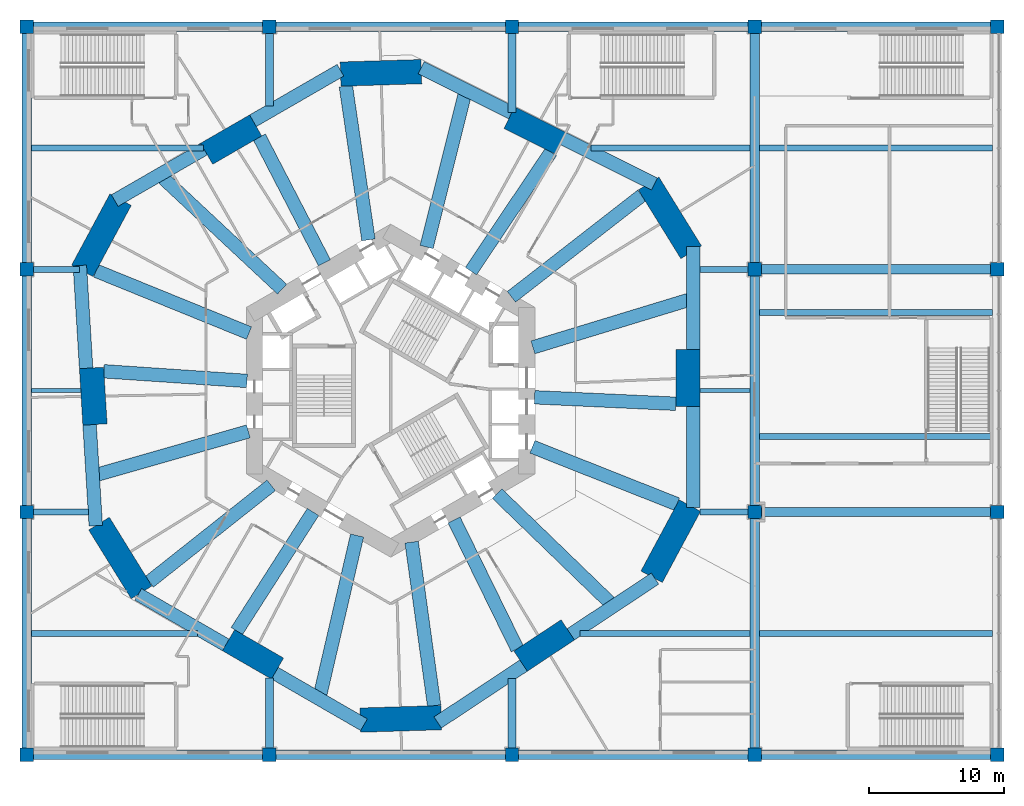
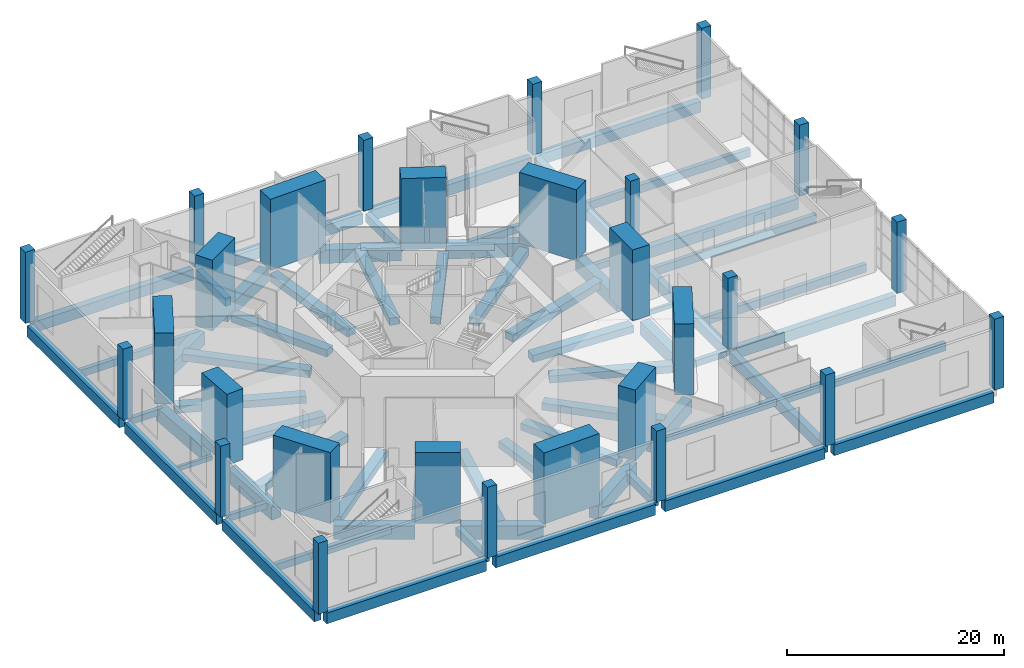
# One storey, part 1 of 15: 64 beams, 28 columns.
"""IFC4 building model written with IfcOpenShell, lengths in metres."""

from ifc_helpers import new_model, si_unit, direction, frame, origin, origin_2d, place, context, subcontext, project, spatial, rectangle, extrude, material, material_profile, profile_set, type_object, element, save


model = new_model("IFC4")

# Units and contexts
model_context = context("Model", 3, precision=1e-05, world=origin(), true_north=direction((0.0, 1.0)))
body_context = subcontext(model_context, "Body", "Model", "MODEL_VIEW")
ifc_project = project(units=[si_unit("LENGTHUNIT", "METRE"), si_unit("AREAUNIT", "SQUARE_METRE"), si_unit("VOLUMEUNIT", "CUBIC_METRE"), si_unit("PLANEANGLEUNIT", "RADIAN"), si_unit("MASSUNIT", "GRAM", prefix="KILO")], contexts=[model_context])

# Site, building, storey
site_placement = place(None, origin())
site = spatial("IfcSite", under=ifc_project, at=site_placement, CompositionType="ELEMENT")
building_placement = place(site_placement, origin())
building = spatial("IfcBuilding", under=site, at=building_placement, Name="Vanh Sen Convention Tower", CompositionType="ELEMENT")
storey_placement = place(building_placement, frame((0.0, 0.0, 21.0)))
storey = spatial("IfcBuildingStorey", under=building, at=storey_placement, Name="L03", CompositionType="ELEMENT", Elevation=21.0)

# Columns
ifc_material_1 = material(Name="Concrete C80/95", Category="concrete")
ifc_material_profile_1 = material_profile(ifc_material_1, rectangle(XDim=4.199951171875, YDim=1.800048828125, at=origin_2d()), Name="RC 4200X1800")
ifc_profile_set_1 = profile_set([ifc_material_profile_1], Name="Concrete C80/95")
column_type_1 = type_object("IfcColumnType", Name="Mega column 4200 x 1800 C80/95", PredefinedType="COLUMN", material=ifc_profile_set_1)
for number, where, z_axis, x_axis, name in (
    (1, (22.050048828125, 0.937255859375, 0.0), (0.0, 0.0, 1.0), (0.0, 1.0, 0.0), "Mega column 01 L03"),
    (2, (10.677490234375, 19.315185546875, 0.0), (0.0, 0.0, 1.0), (-0.894935140363, 0.446196251154, 0.0), "Mega column 03 L03"),
    (3, (-11.836669921875, 18.627197265625, 0.0), (0.0, 0.0, 1.0), (-0.866028021766, -0.499995465495, 0.0), "Mega column 05 L03"),
    (4, (-22.06591796875, -0.41064453125, 0.0), (0.0, 0.0, 1.0), (0.061046797461, -0.99813490497, 0.0), "Mega column 07 L03"),
    (5, (-10.21337890625, -19.564453125, 0.0), (0.0, 0.0, 1.0), (0.866028021766, -0.499995465495, 0.0), "Mega column 09 L03"),
    (6, (11.388671875, -18.904541015625, 0.0), (0.0, 0.0, 1.0), (0.833880042151, 0.551945717714, 0.0), "Mega column 11 L03"),
):
    element("IfcColumn", number, at=place(storey_placement, frame(where, z_axis=z_axis, x_axis=x_axis)), inside=storey, type_object=column_type_1, Name=name, PredefinedType="COLUMN", context=body_context, shape_type="SweptSolid", body=[
        extrude(rectangle(XDim=4.199951171875, YDim=1.800048828125, at=origin_2d()), origin(), (0.0, 0.0, 1.0), 8.0),
    ])
ifc_material_profile_2 = material_profile(ifc_material_1, rectangle(XDim=6.0, YDim=1.800048828125, at=origin_2d()), Name="RC 6000X1800")
ifc_profile_set_2 = profile_set([ifc_material_profile_2], Name="Concrete C80/95")
column_type_2 = type_object("IfcColumnType", Name="Mega column 6000 x 1800 C80/95", PredefinedType="COLUMN", material=ifc_profile_set_2)
for number, where, z_axis, x_axis, name in (
    (7, (20.71435546875, 12.818359375, 0.0), (0.0, 0.0, 1.0), (-0.526210955359, 0.850354061823, 0.0), "Mega column 02 L03"),
    (8, (-0.72021484375, 23.5771484375, 0.0), (0.0, 0.0, 1.0), (-0.999533644135, -0.030536768695, 0.0), "Mega column 04 L03"),
    (9, (-21.458251953125, 11.52978515625, 0.0), (0.0, 0.0, 1.0), (-0.473316592293, -0.880892390397, 0.0), "Mega column 06 L03"),
    (10, (-20.058349609375, -12.41259765625, 0.0), (0.0, 0.0, 1.0), (0.526202050444, -0.850359572245, 0.0), "Mega column 08 L03"),
    (11, (0.743896484375, -24.348388671875, 0.0), (0.0, 0.0, 1.0), (0.999533484231, 0.03054200224, 0.0), "Mega column 10 L03"),
    (12, (20.778564453125, -11.164794921875, 0.0), (0.0, 0.0, 1.0), (0.473322742071, 0.880889086003, 0.0), "Mega column 12 L03"),
):
    element("IfcColumn", number, at=place(storey_placement, frame(where, z_axis=z_axis, x_axis=x_axis)), inside=storey, type_object=column_type_2, Name=name, PredefinedType="COLUMN", context=body_context, shape_type="SweptSolid", body=[
        extrude(rectangle(XDim=6.0, YDim=1.800048828125, at=origin_2d()), origin(), (0.0, 0.0, 1.0), 8.0),
    ])
ifc_material_profile_3 = material_profile(ifc_material_1, rectangle(XDim=1.0, YDim=1.0, at=origin_2d()), Name="RC 1000X1000")
ifc_profile_set_3 = profile_set([ifc_material_profile_3], Name="Concrete C80/95")
column_type_3 = type_object("IfcColumnType", Name="Podium column 1000 x 1000 C80/95", PredefinedType="COLUMN", material=ifc_profile_set_3)
for number, where, z_axis, x_axis, name in (
    (13, (-27.0, -27.0, 0.0), (0.0, 0.0, 1.0), (1.0, 0.0, 0.0), "Podium column 01 L03"),
    (14, (-27.0, -9.0, 0.0), (0.0, 0.0, 1.0), (1.0, 0.0, 0.0), "Podium column 02 L03"),
    (15, (-27.0, 9.0, 0.0), (0.0, 0.0, 1.0), (1.0, 0.0, 0.0), "Podium column 03 L03"),
    (16, (-27.0, 27.0, 0.0), (0.0, 0.0, 1.0), (1.0, 0.0, 0.0), "Podium column 04 L03"),
    (17, (-9.0, -27.0, 0.0), (0.0, 0.0, 1.0), (1.0, 0.0, 0.0), "Podium column 05 L03"),
    (18, (-9.0, 27.0, 0.0), (0.0, 0.0, 1.0), (1.0, 0.0, 0.0), "Podium column 06 L03"),
    (19, (9.0, -27.0, 0.0), (0.0, 0.0, 1.0), (1.0, 0.0, 0.0), "Podium column 07 L03"),
    (20, (9.0, 27.0, 0.0), (0.0, 0.0, 1.0), (1.0, 0.0, 0.0), "Podium column 08 L03"),
    (21, (27.0, -27.0, 0.0), (0.0, 0.0, 1.0), (1.0, 0.0, 0.0), "Podium column 09 L03"),
    (22, (27.0, -9.0, 0.0), (0.0, 0.0, 1.0), (1.0, 0.0, 0.0), "Podium column 10 L03"),
    (23, (27.0, 9.0, 0.0), (0.0, 0.0, 1.0), (1.0, 0.0, 0.0), "Podium column 11 L03"),
    (24, (27.0, 27.0, 0.0), (0.0, 0.0, 1.0), (1.0, 0.0, 0.0), "Podium column 12 L03"),
    (25, (45.0, -27.0, 0.0), (0.0, 0.0, 1.0), (1.0, 0.0, 0.0), "Podium column 13 L03"),
    (26, (45.0, -9.0, 0.0), (0.0, 0.0, 1.0), (1.0, 0.0, 0.0), "Podium column 14 L03"),
    (27, (45.0, 9.0, 0.0), (0.0, 0.0, 1.0), (1.0, 0.0, 0.0), "Podium column 15 L03"),
    (28, (45.0, 27.0, 0.0), (0.0, 0.0, 1.0), (1.0, 0.0, 0.0), "Podium column 16 L03"),
):
    element("IfcColumn", number, at=place(storey_placement, frame(where, z_axis=z_axis, x_axis=x_axis)), inside=storey, type_object=column_type_3, Name=name, PredefinedType="COLUMN", context=body_context, shape_type="SweptSolid", body=[
        extrude(rectangle(XDim=1.0, YDim=1.0, at=origin_2d()), origin(), (0.0, 0.0, 1.0), 8.0),
    ])

# Beams
ifc_material_2 = material(Name="Concrete C50/60", Category="concrete")
ifc_material_profile_4 = material_profile(ifc_material_2, rectangle(XDim=0.449951171875, YDim=0.699951171875, at=origin_2d()), Name="RC 450X700")
ifc_profile_set_4 = profile_set([ifc_material_profile_4], Name="Concrete C50/60")
beam_type_1 = type_object("IfcBeamType", Name="Podium girder 450 x 700", PredefinedType="BEAM", material=ifc_profile_set_4)
beam_1_placement = place(storey_placement, frame((-26.5048828125, -9.0, -0.64990234375), z_axis=(1.0, 0.0, 0.0), x_axis=(0.0, 1.0, 0.0)))
element("IfcBeam", 29, at=beam_1_placement, inside=storey, type_object=beam_type_1, Name="Podium girder 18 L03", PredefinedType="BEAM", context=body_context, shape_type="SweptSolid", body=[
    extrude(rectangle(XDim=0.449951171875, YDim=0.699951171875, at=origin_2d()), origin(), (0.0, 0.0, 1.0), 4.081298828125),
])
beam_2_placement = place(storey_placement, frame((22.96337890625, -9.0, -0.64990234375), z_axis=(1.0, 0.0, 0.0), x_axis=(0.0, 1.0, 0.0)))
element("IfcBeam", 30, at=beam_2_placement, inside=storey, type_object=beam_type_1, Name="Podium girder 19 L03", PredefinedType="BEAM", context=body_context, shape_type="SweptSolid", body=[
    extrude(rectangle(XDim=0.449951171875, YDim=0.699951171875, at=origin_2d()), origin(), (0.0, 0.0, 1.0), 3.54150390625),
])
beam_3_placement = place(storey_placement, frame((-26.5048828125, 9.0, -0.64990234375), z_axis=(1.0, 0.0, 0.0), x_axis=(0.0, 1.0, 0.0)))
element("IfcBeam", 31, at=beam_3_placement, inside=storey, type_object=beam_type_1, Name="Podium girder 21 L03", PredefinedType="BEAM", context=body_context, shape_type="SweptSolid", body=[
    extrude(rectangle(XDim=0.449951171875, YDim=0.699951171875, at=origin_2d()), origin(), (0.0, 0.0, 1.0), 3.416748046875),
])
beam_4_placement = place(storey_placement, frame((22.945068359375, 9.0, -0.64990234375), z_axis=(1.0, 0.0, 0.0), x_axis=(0.0, 1.0, 0.0)))
element("IfcBeam", 32, at=beam_4_placement, inside=storey, type_object=beam_type_1, Name="Podium girder 22 L03", PredefinedType="BEAM", context=body_context, shape_type="SweptSolid", body=[
    extrude(rectangle(XDim=0.449951171875, YDim=0.699951171875, at=origin_2d()), origin(), (0.0, 0.0, 1.0), 3.559814453125),
])
ifc_material_profile_5 = material_profile(ifc_material_2, rectangle(XDim=0.60009765625, YDim=0.89990234375, at=origin_2d()), Name="RC 600X900")
ifc_profile_set_5 = profile_set([ifc_material_profile_5], Name="Concrete C50/60")
beam_type_2 = type_object("IfcBeamType", Name="Podium girder 600 x 900", PredefinedType="BEAM", material=ifc_profile_set_5)
beam_5_placement = place(storey_placement, frame((-9.0, -26.5048828125, -0.75), z_axis=(0.0, 1.0, 0.0), x_axis=(-1.0, 0.0, 0.0)))
element("IfcBeam", 33, at=beam_5_placement, inside=storey, type_object=beam_type_2, Name="Podium girder 04 L03", PredefinedType="BEAM", context=body_context, shape_type="SweptSolid", body=[
    extrude(rectangle(XDim=0.60009765625, YDim=0.89990234375, at=origin_2d()), origin(), (0.0, 0.0, 1.0), 5.205810546875),
])
beam_6_placement = place(storey_placement, frame((-9.0, 21.1259765625, -0.75), z_axis=(0.0, 1.0, 0.0), x_axis=(-1.0, 0.0, 0.0)))
element("IfcBeam", 34, at=beam_6_placement, inside=storey, type_object=beam_type_2, Name="Podium girder 05 L03", PredefinedType="BEAM", context=body_context, shape_type="SweptSolid", body=[
    extrude(rectangle(XDim=0.60009765625, YDim=0.89990234375, at=origin_2d()), origin(), (0.0, 0.0, 1.0), 5.37890625),
])
beam_7_placement = place(storey_placement, frame((9.0, -26.5048828125, -0.75), z_axis=(0.0, 1.0, 0.0), x_axis=(-1.0, 0.0, 0.0)))
element("IfcBeam", 35, at=beam_7_placement, inside=storey, type_object=beam_type_2, Name="Podium girder 06 L03", PredefinedType="BEAM", context=body_context, shape_type="SweptSolid", body=[
    extrude(rectangle(XDim=0.60009765625, YDim=0.89990234375, at=origin_2d()), origin(), (0.0, 0.0, 1.0), 5.143798828125),
])
beam_8_placement = place(storey_placement, frame((9.0, 20.652099609375, -0.75), z_axis=(0.0, 1.0, 0.0), x_axis=(-1.0, 0.0, 0.0)))
element("IfcBeam", 36, at=beam_8_placement, inside=storey, type_object=beam_type_2, Name="Podium girder 07 L03", PredefinedType="BEAM", context=body_context, shape_type="SweptSolid", body=[
    extrude(rectangle(XDim=0.60009765625, YDim=0.89990234375, at=origin_2d()), origin(), (0.0, 0.0, 1.0), 5.852783203125),
])
ifc_material_profile_6 = material_profile(ifc_material_2, rectangle(XDim=0.699951171875, YDim=1.199951171875, at=origin_2d()), Name="RC 700X1200")
ifc_profile_set_6 = profile_set([ifc_material_profile_6], Name="Concrete C50/60")
beam_type_3 = type_object("IfcBeamType", Name="Podium girder 700 x 1200", PredefinedType="BEAM", material=ifc_profile_set_6)
for number, where, z_axis, x_axis, name in (
    (37, (-27.0, -26.5048828125, -0.89990234375), (0.0, 1.0, 0.0), (-1.0, 0.0, 0.0), "Podium girder 01 L03"),
    (38, (-27.0, -8.5048828125, -0.89990234375), (0.0, 1.0, 0.0), (-1.0, 0.0, 0.0), "Podium girder 02 L03"),
    (39, (-27.0, 9.4951171875, -0.89990234375), (0.0, 1.0, 0.0), (-1.0, 0.0, 0.0), "Podium girder 03 L03"),
    (40, (27.0, -26.5048828125, -0.89990234375), (0.0, 1.0, 0.0), (-1.0, 0.0, 0.0), "Podium girder 08 L03"),
    (41, (27.0, -8.5048828125, -0.89990234375), (0.0, 1.0, 0.0), (-1.0, 0.0, 0.0), "Podium girder 09 L03"),
    (42, (27.0, 9.4951171875, -0.89990234375), (0.0, 1.0, 0.0), (-1.0, 0.0, 0.0), "Podium girder 10 L03"),
    (43, (-26.5048828125, -27.0, -0.89990234375), (1.0, 0.0, 0.0), (0.0, 1.0, 0.0), "Podium girder 14 L03"),
    (44, (-8.5048828125, -27.0, -0.89990234375), (1.0, 0.0, 0.0), (0.0, 1.0, 0.0), "Podium girder 15 L03"),
    (45, (9.4951171875, -27.0, -0.89990234375), (1.0, 0.0, 0.0), (0.0, 1.0, 0.0), "Podium girder 16 L03"),
    (46, (27.4951171875, -27.0, -0.89990234375), (1.0, 0.0, 0.0), (0.0, 1.0, 0.0), "Podium girder 17 L03"),
    (47, (27.4951171875, -9.0, -0.89990234375), (1.0, 0.0, 0.0), (0.0, 1.0, 0.0), "Podium girder 20 L03"),
    (48, (27.4951171875, 9.0, -0.89990234375), (1.0, 0.0, 0.0), (0.0, 1.0, 0.0), "Podium girder 23 L03"),
    (49, (-26.5048828125, 27.0, -0.89990234375), (1.0, 0.0, 0.0), (0.0, 1.0, 0.0), "Podium girder 24 L03"),
    (50, (-8.5048828125, 27.0, -0.89990234375), (1.0, 0.0, 0.0), (0.0, 1.0, 0.0), "Podium girder 25 L03"),
    (51, (9.4951171875, 27.0, -0.89990234375), (1.0, 0.0, 0.0), (0.0, 1.0, 0.0), "Podium girder 26 L03"),
    (52, (27.4951171875, 27.0, -0.89990234375), (1.0, 0.0, 0.0), (0.0, 1.0, 0.0), "Podium girder 27 L03"),
):
    element("IfcBeam", number, at=place(storey_placement, frame(where, z_axis=z_axis, x_axis=x_axis)), inside=storey, type_object=beam_type_3, Name=name, PredefinedType="BEAM", context=body_context, shape_type="SweptSolid", body=[
        extrude(rectangle(XDim=0.699951171875, YDim=1.199951171875, at=origin_2d()), origin(), (0.0, 0.0, 1.0), 17.009765625),
    ])
ifc_material_profile_7 = material_profile(ifc_material_2, rectangle(XDim=1.0, YDim=1.5, at=origin_2d()), Name="RC 1000X1500")
ifc_profile_set_7 = profile_set([ifc_material_profile_7], Name="Concrete C50/60")
beam_type_4 = type_object("IfcBeamType", Name="Podium ring girder 1000 x 1500", PredefinedType="BEAM", material=ifc_profile_set_7)
beam_9_placement = place(storey_placement, frame((22.449951171875, 3.0322265625, -1.050048828125), z_axis=(0.0, 1.0, 0.0), x_axis=(-1.0, 0.0, 0.0)))
element("IfcBeam", 53, at=beam_9_placement, inside=storey, type_object=beam_type_4, Name="Ring girder 01 L03", PredefinedType="BEAM", context=body_context, shape_type="SweptSolid", body=[
    extrude(rectangle(XDim=1.0, YDim=1.5, at=origin_2d()), origin(), (0.0, 0.0, 1.0), 7.646728515625),
])
beam_10_placement = place(storey_placement, frame((19.57421875, 15.326416015625, -1.050048828125), z_axis=(-0.894943809109, 0.44617886384, 0.0), x_axis=(-0.44617886384, -0.894943809109, 0.0)))
element("IfcBeam", 54, at=beam_10_placement, inside=storey, type_object=beam_type_4, Name="Ring girder 02 L03", PredefinedType="BEAM", context=body_context, shape_type="SweptSolid", body=[
    extrude(rectangle(XDim=1.0, YDim=1.5, at=origin_2d()), origin(), (0.0, 0.0, 1.0), 7.64697265625),
])
beam_11_placement = place(storey_placement, frame((9.069580078125, 20.563720703125, -1.050048828125), z_axis=(-0.894933951272, 0.446198636105, 0.0), x_axis=(-0.446198636105, -0.894933951272, 0.0)))
element("IfcBeam", 55, at=beam_11_placement, inside=storey, type_object=beam_type_4, Name="Ring girder 03 L03", PredefinedType="BEAM", context=body_context, shape_type="SweptSolid", body=[
    extrude(rectangle(XDim=1.0, YDim=1.5, at=origin_2d()), origin(), (0.0, 0.0, 1.0), 7.603271484375),
])
beam_12_placement = place(storey_placement, frame((-3.723388671875, 23.7734375, -1.050048828125), z_axis=(-0.866012220445, -0.500022833518, 0.0), x_axis=(0.500022833518, -0.866012220445, 0.0)))
element("IfcBeam", 56, at=beam_12_placement, inside=storey, type_object=beam_type_4, Name="Ring girder 04 L03", PredefinedType="BEAM", context=body_context, shape_type="SweptSolid", body=[
    extrude(rectangle(XDim=1.0, YDim=1.5, at=origin_2d()), origin(), (0.0, 0.0, 1.0), 7.504638671875),
])
for number, where, z_axis, x_axis, name in (
    (57, (-13.85107421875, 17.926025390625, -1.050048828125), (-0.866026077102, -0.499998833779, 0.0), (0.499998833779, -0.866026077102, 0.0), "Ring girder 05 L03"),
    (58, (-23.06005859375, 9.288330078125, -1.050048828125), (0.061046445508, -0.998134926496, 0.0), (0.998134926496, 0.061046445508, 0.0), "Ring girder 06 L03"),
):
    element("IfcBeam", number, at=place(storey_placement, frame(where, z_axis=z_axis, x_axis=x_axis)), inside=storey, type_object=beam_type_4, Name=name, PredefinedType="BEAM", context=body_context, shape_type="SweptSolid", body=[
        extrude(rectangle(XDim=1.0, YDim=1.5, at=origin_2d()), origin(), (0.0, 0.0, 1.0), 7.646484375),
    ])
for number, where, z_axis, x_axis, name in (
    (59, (-22.33740234375, -2.526123046875, -1.050048828125), (0.061031350148, -0.998135849621, 0.0), (0.998135849621, 0.061031350148, 0.0), "Ring girder 07 L03"),
    (60, (-18.726806640625, -15.111083984375, -1.050048828125), (0.866026307698, -0.499998434373, 0.0), (0.499998434373, 0.866026307698, 0.0), "Ring girder 08 L03"),
):
    element("IfcBeam", number, at=place(storey_placement, frame(where, z_axis=z_axis, x_axis=x_axis)), inside=storey, type_object=beam_type_4, Name=name, PredefinedType="BEAM", context=body_context, shape_type="SweptSolid", body=[
        extrude(rectangle(XDim=1.0, YDim=1.5, at=origin_2d()), origin(), (0.0, 0.0, 1.0), 7.50439453125),
    ])
beam_13_placement = place(storey_placement, frame((-8.59912109375, -20.958251953125, -1.050048828125), z_axis=(0.866020233978, -0.500008954261, 0.0), x_axis=(0.500008954261, 0.866020233978, 0.0)))
element("IfcBeam", 61, at=beam_13_placement, inside=storey, type_object=beam_type_4, Name="Ring girder 09 L03", PredefinedType="BEAM", context=body_context, shape_type="SweptSolid", body=[
    extrude(rectangle(XDim=1.0, YDim=1.5, at=origin_2d()), origin(), (0.0, 0.0, 1.0), 7.646728515625),
])
beam_14_placement = place(storey_placement, frame((3.486083984375, -24.61474609375, -1.050048828125), z_axis=(0.833877643649, 0.551949341355, 0.0), x_axis=(-0.551949341355, 0.833877643649, 0.0)))
element("IfcBeam", 62, at=beam_14_placement, inside=storey, type_object=beam_type_4, Name="Ring girder 10 L03", PredefinedType="BEAM", context=body_context, shape_type="SweptSolid", body=[
    extrude(rectangle(XDim=1.0, YDim=1.5, at=origin_2d()), origin(), (0.0, 0.0, 1.0), 7.934814453125),
])
for number, where, z_axis, x_axis, name in (
    (63, (13.3564453125, -18.081787109375, -1.050048828125), (0.83387759724, 0.551949411469, 0.0), (-0.551949411469, 0.83387759724, 0.0), "Ring girder 11 L03"),
    (64, (22.449951171875, -8.662109375, -1.050048828125), (0.0, 1.0, 0.0), (-1.0, 0.0, 0.0), "Ring girder 12 L03"),
):
    element("IfcBeam", number, at=place(storey_placement, frame(where, z_axis=z_axis, x_axis=x_axis)), inside=storey, type_object=beam_type_4, Name=name, PredefinedType="BEAM", context=body_context, shape_type="SweptSolid", body=[
        extrude(rectangle(XDim=1.0, YDim=1.5, at=origin_2d()), origin(), (0.0, 0.0, 1.0), 7.50439453125),
    ])
ifc_material_profile_8 = material_profile(ifc_material_2, rectangle(XDim=0.300048828125, YDim=0.5, at=origin_2d()), Name="RC 300X500")
ifc_profile_set_8 = profile_set([ifc_material_profile_8], Name="Concrete C50/60")
beam_type_5 = type_object("IfcBeamType", Name="Podium secondary beam 300 x 500", PredefinedType="BEAM", material=ifc_profile_set_8)
beam_15_placement = place(storey_placement, frame((-26.655029296875, 0.0, -0.550048828125), z_axis=(1.0, 0.0, 0.0), x_axis=(0.0, 1.0, 0.0)))
element("IfcBeam", 65, at=beam_15_placement, inside=storey, type_object=beam_type_5, Name="Podium secondary beam 04 L03", PredefinedType="BEAM", context=body_context, shape_type="SweptSolid", body=[
    extrude(rectangle(XDim=0.300048828125, YDim=0.5, at=origin_2d()), origin(), (0.0, 0.0, 1.0), 3.662109375),
])
beam_16_placement = place(storey_placement, frame((22.949951171875, 0.0, -0.550048828125), z_axis=(1.0, 0.0, 0.0), x_axis=(0.0, 1.0, 0.0)))
element("IfcBeam", 66, at=beam_16_placement, inside=storey, type_object=beam_type_5, Name="Podium secondary beam 05 L03", PredefinedType="BEAM", context=body_context, shape_type="SweptSolid", body=[
    extrude(rectangle(XDim=0.300048828125, YDim=0.5, at=origin_2d()), origin(), (0.0, 0.0, 1.0), 3.705078125),
])
ifc_material_profile_9 = material_profile(ifc_material_2, rectangle(XDim=0.449951171875, YDim=0.800048828125, at=origin_2d()), Name="RC 450X800")
ifc_profile_set_9 = profile_set([ifc_material_profile_9], Name="Concrete C50/60")
beam_type_6 = type_object("IfcBeamType", Name="Podium secondary beam 450 x 800", PredefinedType="BEAM", material=ifc_profile_set_9)
beam_17_placement = place(storey_placement, frame((-26.655029296875, -18.0, -0.699951171875), z_axis=(1.0, 0.0, 0.0), x_axis=(0.0, 1.0, 0.0)))
element("IfcBeam", 67, at=beam_17_placement, inside=storey, type_object=beam_type_6, Name="Podium secondary beam 01 L03", PredefinedType="BEAM", context=body_context, shape_type="SweptSolid", body=[
    extrude(rectangle(XDim=0.449951171875, YDim=0.800048828125, at=origin_2d()), origin(), (0.0, 0.0, 1.0), 12.32666015625),
])
beam_18_placement = place(storey_placement, frame((14.041015625, -18.0, -0.699951171875), z_axis=(1.0, 0.0, 0.0), x_axis=(0.0, 1.0, 0.0)))
element("IfcBeam", 68, at=beam_18_placement, inside=storey, type_object=beam_type_6, Name="Podium secondary beam 02 L03", PredefinedType="BEAM", context=body_context, shape_type="SweptSolid", body=[
    extrude(rectangle(XDim=0.449951171875, YDim=0.800048828125, at=origin_2d()), origin(), (0.0, 0.0, 1.0), 12.614013671875),
])
beam_19_placement = place(storey_placement, frame((-26.655029296875, 18.0, -0.699951171875), z_axis=(1.0, 0.0, 0.0), x_axis=(0.0, 1.0, 0.0)))
element("IfcBeam", 69, at=beam_19_placement, inside=storey, type_object=beam_type_6, Name="Podium secondary beam 08 L03", PredefinedType="BEAM", context=body_context, shape_type="SweptSolid", body=[
    extrude(rectangle(XDim=0.449951171875, YDim=0.800048828125, at=origin_2d()), origin(), (0.0, 0.0, 1.0), 12.760498046875),
])
beam_20_placement = place(storey_placement, frame((14.8759765625, 18.0, -0.699951171875), z_axis=(1.0, 0.0, 0.0), x_axis=(0.0, 1.0, 0.0)))
element("IfcBeam", 70, at=beam_20_placement, inside=storey, type_object=beam_type_6, Name="Podium secondary beam 09 L03", PredefinedType="BEAM", context=body_context, shape_type="SweptSolid", body=[
    extrude(rectangle(XDim=0.449951171875, YDim=0.800048828125, at=origin_2d()), origin(), (0.0, 0.0, 1.0), 11.779052734375),
])
ifc_material_profile_10 = material_profile(ifc_material_2, rectangle(XDim=0.449951171875, YDim=0.89990234375, at=origin_2d()), Name="RC 450X900")
ifc_profile_set_10 = profile_set([ifc_material_profile_10], Name="Concrete C50/60")
beam_type_7 = type_object("IfcBeamType", Name="Podium secondary beam 450 x 900", PredefinedType="BEAM", material=ifc_profile_set_10)
for number, where, z_axis, x_axis, name in (
    (71, (27.344970703125, -18.0, -0.75), (1.0, 0.0, 0.0), (0.0, 1.0, 0.0), "Podium secondary beam 03 L03"),
    (72, (27.344970703125, -3.3994140625, -0.75), (1.0, 0.0, 0.0), (0.0, 1.0, 0.0), "Podium secondary beam 06 L03"),
    (73, (27.344970703125, 5.800048828125, -0.75), (1.0, 0.0, 0.0), (0.0, 1.0, 0.0), "Podium secondary beam 07 L03"),
    (74, (27.344970703125, 18.0, -0.75), (1.0, 0.0, 0.0), (0.0, 1.0, 0.0), "Podium secondary beam 10 L03"),
):
    element("IfcBeam", number, at=place(storey_placement, frame(where, z_axis=z_axis, x_axis=x_axis)), inside=storey, type_object=beam_type_7, Name=name, PredefinedType="BEAM", context=body_context, shape_type="SweptSolid", body=[
        extrude(rectangle(XDim=0.449951171875, YDim=0.89990234375, at=origin_2d()), origin(), (0.0, 0.0, 1.0), 17.31005859375),
    ])
ifc_material_profile_11 = material_profile(ifc_material_2, rectangle(XDim=1.0, YDim=0.800048828125, at=origin_2d()), Name="RC 1000X800")
ifc_profile_set_11 = profile_set([ifc_material_profile_11], Name="Concrete C50/60")
beam_type_8 = type_object("IfcBeamType", Name="Radial floor beam 1000 x 800", PredefinedType="BEAM", material=ifc_profile_set_11)
beam_21_placement = place(storey_placement, frame((21.238037109375, -8.418701171875, -0.699951171875), z_axis=(-0.929626395453, 0.368503412299, 0.0), x_axis=(-0.368503412299, -0.929626395453, 0.0)))
element("IfcBeam", 75, at=beam_21_placement, inside=storey, type_object=beam_type_8, Name="Radial beam 01 L03", PredefinedType="BEAM", context=body_context, shape_type="SweptSolid", body=[
    extrude(rectangle(XDim=1.0, YDim=0.800048828125, at=origin_2d()), origin(), (0.0, 0.0, 1.0), 11.5390625),
])
beam_22_placement = place(storey_placement, frame((21.155029296875, -0.970703125, -0.699951171875), z_axis=(-0.998949166628, 0.045831893853, 0.0), x_axis=(-0.045831893853, -0.998949166628, 0.0)))
element("IfcBeam", 76, at=beam_22_placement, inside=storey, type_object=beam_type_8, Name="Radial beam 02 L03", PredefinedType="BEAM", context=body_context, shape_type="SweptSolid", body=[
    extrude(rectangle(XDim=1.0, YDim=0.800048828125, at=origin_2d()), origin(), (0.0, 0.0, 1.0), 10.493896484375),
])
beam_23_placement = place(storey_placement, frame((22.1005859375, 6.732666015625, -0.699951171875), z_axis=(-0.95659843119, -0.291409405211, 0.0), x_axis=(0.291409405211, -0.95659843119, 0.0)))
element("IfcBeam", 77, at=beam_23_placement, inside=storey, type_object=beam_type_8, Name="Radial beam 03 L03", PredefinedType="BEAM", context=body_context, shape_type="SweptSolid", body=[
    extrude(rectangle(XDim=1.0, YDim=0.800048828125, at=origin_2d()), origin(), (0.0, 0.0, 1.0), 12.0751953125),
])
beam_24_placement = place(storey_placement, frame((18.630615234375, 14.484619140625, -0.699951171875), z_axis=(-0.789469121042, -0.613790279265, 0.0), x_axis=(0.613790279265, -0.789469121042, 0.0)))
element("IfcBeam", 78, at=beam_24_placement, inside=storey, type_object=beam_type_8, Name="Radial beam 04 L03", PredefinedType="BEAM", context=body_context, shape_type="SweptSolid", body=[
    extrude(rectangle(XDim=1.0, YDim=0.800048828125, at=origin_2d()), origin(), (0.0, 0.0, 1.0), 12.255859375),
])
beam_25_placement = place(storey_placement, frame((11.888671875, 17.7109375, -0.699951171875), z_axis=(-0.557333016414, -0.830289051364, 0.0), x_axis=(0.830289051364, -0.557333016414, 0.0)))
element("IfcBeam", 79, at=beam_25_placement, inside=storey, type_object=beam_type_8, Name="Radial beam 05 L03", PredefinedType="BEAM", context=body_context, shape_type="SweptSolid", body=[
    extrude(rectangle(XDim=1.0, YDim=0.800048828125, at=origin_2d()), origin(), (0.0, 0.0, 1.0), 10.6455078125),
])
beam_26_placement = place(storey_placement, frame((5.47802734375, 21.921875, -0.699951171875), z_axis=(-0.242426812684, -0.97016969675, 0.0), x_axis=(0.97016969675, -0.242426812684, 0.0)))
element("IfcBeam", 80, at=beam_26_placement, inside=storey, type_object=beam_type_8, Name="Radial beam 06 L03", PredefinedType="BEAM", context=body_context, shape_type="SweptSolid", body=[
    extrude(rectangle(XDim=1.0, YDim=0.800048828125, at=origin_2d()), origin(), (0.0, 0.0, 1.0), 11.614501953125),
])
beam_27_placement = place(storey_placement, frame((-3.328125, 22.60205078125, -0.699951171875), z_axis=(0.145673679863, -0.989332693787, 0.0), x_axis=(0.989332693787, 0.145673679863, 0.0)))
element("IfcBeam", 81, at=beam_27_placement, inside=storey, type_object=beam_type_8, Name="Radial beam 07 L03", PredefinedType="BEAM", context=body_context, shape_type="SweptSolid", body=[
    extrude(rectangle(XDim=1.0, YDim=0.800048828125, at=origin_2d()), origin(), (0.0, 0.0, 1.0), 11.538818359375),
])
beam_28_placement = place(storey_placement, frame((-9.73681640625, 18.80615234375, -0.699951171875), z_axis=(0.459760226255, -0.888043092622, 0.0), x_axis=(0.888043092622, 0.459760226255, 0.0)))
element("IfcBeam", 82, at=beam_28_placement, inside=storey, type_object=beam_type_8, Name="Radial beam 08 L03", PredefinedType="BEAM", context=body_context, shape_type="SweptSolid", body=[
    extrude(rectangle(XDim=1.0, YDim=0.800048828125, at=origin_2d()), origin(), (0.0, 0.0, 1.0), 10.493896484375),
])
beam_29_placement = place(storey_placement, frame((-16.880859375, 15.773193359375, -0.699951171875), z_axis=(0.730669888391, -0.682730923717, 0.0), x_axis=(0.682730923717, 0.730669888391, 0.0)))
element("IfcBeam", 83, at=beam_29_placement, inside=storey, type_object=beam_type_8, Name="Radial beam 09 L03", PredefinedType="BEAM", context=body_context, shape_type="SweptSolid", body=[
    extrude(rectangle(XDim=1.0, YDim=0.800048828125, at=origin_2d()), origin(), (0.0, 0.0, 1.0), 12.074951171875),
])
beam_30_placement = place(storey_placement, frame((-21.859375, 8.892333984375, -0.699951171875), z_axis=(0.926287387337, -0.376817828746, 0.0), x_axis=(0.376817828746, 0.926287387337, 0.0)))
element("IfcBeam", 84, at=beam_30_placement, inside=storey, type_object=beam_type_8, Name="Radial beam 10 L03", PredefinedType="BEAM", context=body_context, shape_type="SweptSolid", body=[
    extrude(rectangle(XDim=1.0, YDim=0.800048828125, at=origin_2d()), origin(), (0.0, 0.0, 1.0), 12.255615234375),
])
beam_31_placement = place(storey_placement, frame((-21.282470703125, 1.4404296875, -0.699951171875), z_axis=(0.997718193442, -0.067515971992, 0.0), x_axis=(0.067515971992, 0.997718193442, 0.0)))
element("IfcBeam", 85, at=beam_31_placement, inside=storey, type_object=beam_type_8, Name="Radial beam 11 L03", PredefinedType="BEAM", context=body_context, shape_type="SweptSolid", body=[
    extrude(rectangle(XDim=1.0, YDim=0.800048828125, at=origin_2d()), origin(), (0.0, 0.0, 1.0), 10.6455078125),
])
beam_32_placement = place(storey_placement, frame((-21.723876953125, -6.216796875, -0.699951171875), z_axis=(0.961405669021, 0.275134766203, 0.0), x_axis=(-0.275134766203, 0.961405669021, 0.0)))
element("IfcBeam", 86, at=beam_32_placement, inside=storey, type_object=beam_type_8, Name="Radial beam 12 L03", PredefinedType="BEAM", context=body_context, shape_type="SweptSolid", body=[
    extrude(rectangle(XDim=1.0, YDim=0.800048828125, at=origin_2d()), origin(), (0.0, 0.0, 1.0), 11.614501953125),
])
beam_33_placement = place(storey_placement, frame((-17.909912109375, -14.183349609375, -0.699951171875), z_axis=(0.783941130439, 0.620835166535, 0.0), x_axis=(-0.620835166535, 0.783941130439, 0.0)))
element("IfcBeam", 87, at=beam_33_placement, inside=storey, type_object=beam_type_8, Name="Radial beam 13 L03", PredefinedType="BEAM", context=body_context, shape_type="SweptSolid", body=[
    extrude(rectangle(XDim=1.0, YDim=0.800048828125, at=origin_2d()), origin(), (0.0, 0.0, 1.0), 11.5390625),
])
beam_34_placement = place(storey_placement, frame((-11.418212890625, -17.83544921875, -0.699951171875), z_axis=(0.539175162017, 0.842193650335, 0.0), x_axis=(-0.842193650335, 0.539175162017, 0.0)))
element("IfcBeam", 88, at=beam_34_placement, inside=storey, type_object=beam_type_8, Name="Radial beam 14 L03", PredefinedType="BEAM", context=body_context, shape_type="SweptSolid", body=[
    extrude(rectangle(XDim=1.0, YDim=0.800048828125, at=origin_2d()), origin(), (0.0, 0.0, 1.0), 10.494140625),
])
beam_35_placement = place(storey_placement, frame((-5.219482421875, -22.505859375, -0.699951171875), z_axis=(0.225921069531, 0.974145610441, 0.0), x_axis=(-0.974145610441, 0.225921069531, 0.0)))
element("IfcBeam", 89, at=beam_35_placement, inside=storey, type_object=beam_type_8, Name="Radial beam 15 L03", PredefinedType="BEAM", context=body_context, shape_type="SweptSolid", body=[
    extrude(rectangle(XDim=1.0, YDim=0.800048828125, at=origin_2d()), origin(), (0.0, 0.0, 1.0), 12.0751953125),
])
beam_36_placement = place(storey_placement, frame((3.228759765625, -23.376953125, -0.699951171875), z_axis=(-0.136812656494, 0.99059693974, 0.0), x_axis=(-0.99059693974, -0.136812656494, 0.0)))
element("IfcBeam", 90, at=beam_36_placement, inside=storey, type_object=beam_type_8, Name="Radial beam 16 L03", PredefinedType="BEAM", context=body_context, shape_type="SweptSolid", body=[
    extrude(rectangle(XDim=1.0, YDim=0.800048828125, at=origin_2d()), origin(), (0.0, 0.0, 1.0), 12.255859375),
])
beam_37_placement = place(storey_placement, frame((9.393798828125, -19.151611328125, -0.699951171875), z_axis=(-0.440366399131, 0.897818152254, 0.0), x_axis=(-0.897818152254, -0.440366399131, 0.0)))
element("IfcBeam", 91, at=beam_37_placement, inside=storey, type_object=beam_type_8, Name="Radial beam 17 L03", PredefinedType="BEAM", context=body_context, shape_type="SweptSolid", body=[
    extrude(rectangle(XDim=1.0, YDim=0.800048828125, at=origin_2d()), origin(), (0.0, 0.0, 1.0), 10.645751953125),
])
beam_38_placement = place(storey_placement, frame((16.245849609375, -15.705078125, -0.699951171875), z_axis=(-0.718976471313, 0.695034411881, 0.0), x_axis=(-0.695034411881, -0.718976471313, 0.0)))
element("IfcBeam", 92, at=beam_38_placement, inside=storey, type_object=beam_type_8, Name="Radial beam 18 L03", PredefinedType="BEAM", context=body_context, shape_type="SweptSolid", body=[
    extrude(rectangle(XDim=1.0, YDim=0.800048828125, at=origin_2d()), origin(), (0.0, 0.0, 1.0), 11.614501953125),
])

save(model, "model.ifc")
